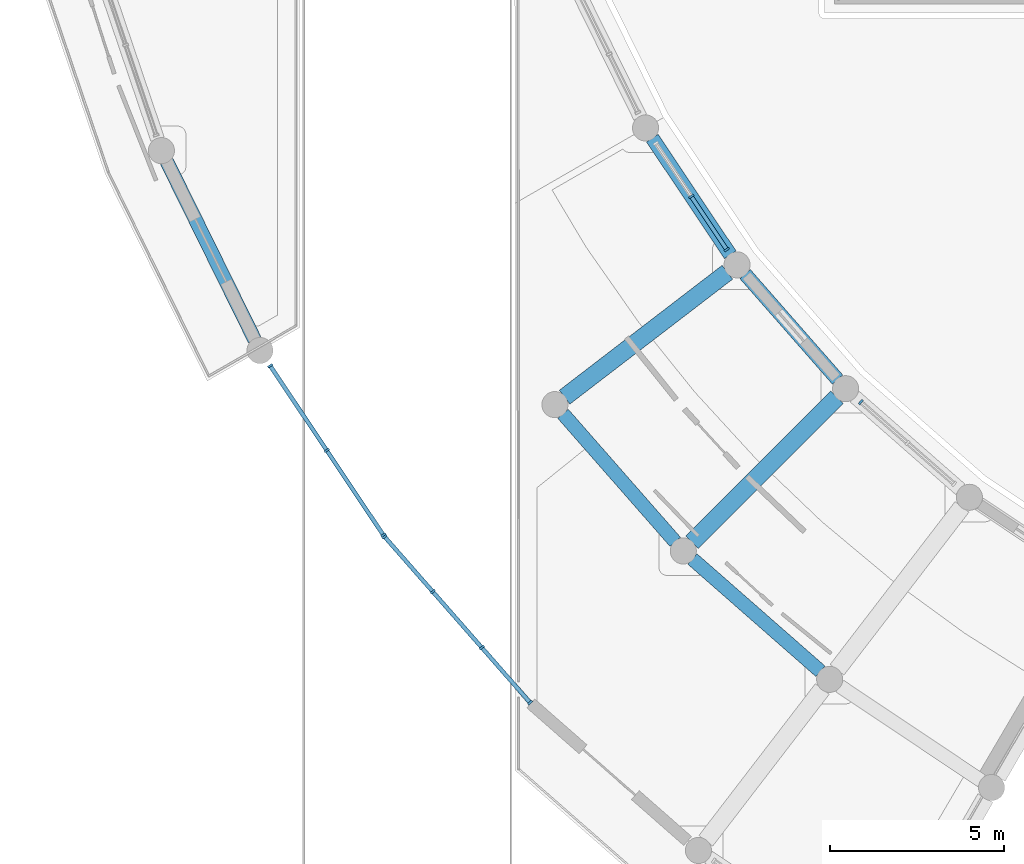
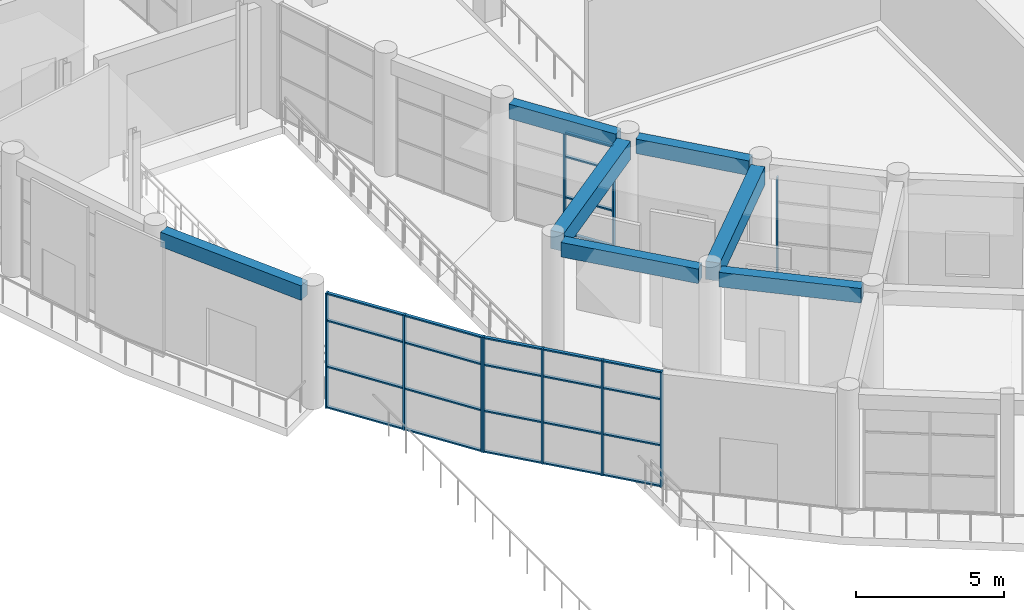
# One storey, part 22 of 99: 34 members, 7 beams, 4 elements without a shape of their own.
"""IFC4 building model written with IfcOpenShell, lengths in metres."""

from ifc_helpers import new_model, si_unit, direction, frame, origin, origin_2d, place, context, subcontext, project, spatial, rectangle, extrude, material, material_profile, profile_set, type_object, element, aggregate, save


model = new_model("IFC4")

# Units and contexts
model_context = context("Model", 3, precision=1e-05, world=origin(), true_north=direction((0.0, 1.0)))
body_context = subcontext(model_context, "Body", "Model", "MODEL_VIEW")
ifc_project = project(units=[si_unit("LENGTHUNIT", "METRE"), si_unit("AREAUNIT", "SQUARE_METRE"), si_unit("VOLUMEUNIT", "CUBIC_METRE"), si_unit("PLANEANGLEUNIT", "RADIAN"), si_unit("MASSUNIT", "GRAM", prefix="KILO")], contexts=[model_context])

# Site, building, storey
site_placement = place(None, origin())
site = spatial("IfcSite", under=ifc_project, at=site_placement, CompositionType="ELEMENT")
building_placement = place(site_placement, origin())
building = spatial("IfcBuilding", under=site, at=building_placement, Name="Saryqyr Civic Hall", CompositionType="ELEMENT")
storey_placement = place(building_placement, origin())
storey = spatial("IfcBuildingStorey", under=building, at=storey_placement, Name="L00", CompositionType="ELEMENT", Elevation=0.0)

# Curtain wall, members
ifc_material_1 = material(Name="Anodised aluminium and triple low-E glass", Category="aluminium")
curtain_wall_type_1 = type_object("IfcCurtainWallType", Name="ENV-CW-STD-08", PredefinedType="NOTDEFINED", material=ifc_material_1)
curtain_wall_1_placement = place(storey_placement, origin())
curtain_wall_1 = element("IfcCurtainWall", 1, at=curtain_wall_1_placement, inside=storey, type_object=curtain_wall_type_1, Name="Curtain wall V4-CWO-L00-06", PredefinedType="NOTDEFINED")
ifc_material_2 = material(Name="Anodised aluminium", Category="aluminium")
ifc_material_profile_1 = material_profile(ifc_material_2, rectangle(XDim=0.06005859375, YDim=0.159912109375, at=origin_2d()), Name="ALU MULLION 60x160")
ifc_profile_set_1 = profile_set([ifc_material_profile_1], Name="Anodised aluminium")
member_type_1 = type_object("IfcMemberType", Name="ENV-CW-MUL-180", PredefinedType="MULLION", material=ifc_profile_set_1)
member_1_placement = place(storey_placement, frame((18.109130859375, 54.195556640625, 0.0), z_axis=(0.0, 0.0, 1.0), x_axis=(-0.555566691085, 0.831471978937, 0.0)))
member_1 = element("IfcMember", 2, at=member_1_placement, type_object=member_type_1, Name="CW-08 mullion 1", PredefinedType="MULLION", context=body_context, shape_type="SweptSolid", body=[
    extrude(rectangle(XDim=0.06005859375, YDim=0.159912109375, at=origin_2d()), origin(), (0.0, 0.0, 1.0), 4.75),
])
member_2_placement = place(storey_placement, frame((16.48388671875, 56.6279296875, 0.0), z_axis=(0.0, 0.0, 1.0), x_axis=(-0.555566691085, 0.831471978937, 0.0)))
member_2 = element("IfcMember", 3, at=member_2_placement, type_object=member_type_1, Name="CW-08 mullion 2", PredefinedType="MULLION", context=body_context, shape_type="SweptSolid", body=[
    extrude(rectangle(XDim=0.06005859375, YDim=0.159912109375, at=origin_2d()), origin(), (0.0, 0.0, 1.0), 4.75),
])
member_3_placement = place(storey_placement, frame((14.85888671875, 59.06005859375, 0.0), z_axis=(0.0, 0.0, 1.0), x_axis=(-0.555566691085, 0.831471978937, 0.0)))
member_3 = element("IfcMember", 4, at=member_3_placement, type_object=member_type_1, Name="CW-08 mullion 3", PredefinedType="MULLION", context=body_context, shape_type="SweptSolid", body=[
    extrude(rectangle(XDim=0.06005859375, YDim=0.159912109375, at=origin_2d()), origin(), (0.0, 0.0, 1.0), 4.75),
])

curtain_wall_type_2 = type_object("IfcCurtainWallType", Name="ENV-CW-STD-09", PredefinedType="NOTDEFINED", material=ifc_material_1)
curtain_wall_2_placement = place(storey_placement, origin())
curtain_wall_2 = element("IfcCurtainWall", 5, at=curtain_wall_2_placement, inside=storey, type_object=curtain_wall_type_2, Name="Curtain wall V4-CWI-L00-06", PredefinedType="NOTDEFINED")
member_4_placement = place(storey_placement, frame((26.96533203125, 63.931396484375, 0.0), z_axis=(0.0, 0.0, 1.0), x_axis=(0.555558270106, -0.831477605541, 0.0)))
member_4 = element("IfcMember", 6, at=member_4_placement, type_object=member_type_1, Name="CW-09 mullion 2", PredefinedType="MULLION", context=body_context, shape_type="SweptSolid", body=[
    extrude(rectangle(XDim=0.06005859375, YDim=0.159912109375, at=origin_2d()), origin(), (0.0, 0.0, 1.0), 4.195068359375),
])
member_5_placement = place(storey_placement, frame((27.986572265625, 62.40283203125, 0.0), z_axis=(0.0, 0.0, 1.0), x_axis=(0.555558270106, -0.831477605541, 0.0)))
member_5 = element("IfcMember", 7, at=member_5_placement, type_object=member_type_1, Name="CW-09 mullion 3", PredefinedType="MULLION", context=body_context, shape_type="SweptSolid", body=[
    extrude(rectangle(XDim=0.06005859375, YDim=0.159912109375, at=origin_2d()), origin(), (0.0, 0.0, 1.0), 4.195068359375),
])

curtain_wall_type_3 = type_object("IfcCurtainWallType", Name="ENV-CW-STD-10", PredefinedType="NOTDEFINED", material=ifc_material_1)
curtain_wall_3_placement = place(storey_placement, origin())
curtain_wall_3 = element("IfcCurtainWall", 8, at=curtain_wall_3_placement, inside=storey, type_object=curtain_wall_type_3, Name="Curtain wall V4-CWO-L00-07", PredefinedType="NOTDEFINED")
member_6_placement = place(storey_placement, frame((22.33203125, 49.374267578125, 0.0), z_axis=(0.0, 0.0, 1.0), x_axis=(-0.659349177167, 0.751836859012, 0.0)))
member_6 = element("IfcMember", 9, at=member_6_placement, type_object=member_type_1, Name="CW-10 mullion 1", PredefinedType="MULLION", context=body_context, shape_type="SweptSolid", body=[
    extrude(rectangle(XDim=0.06005859375, YDim=0.159912109375, at=origin_2d()), origin(), (0.0, 0.0, 1.0), 4.75),
])
member_7_placement = place(storey_placement, frame((20.943115234375, 50.9580078125, 0.0), z_axis=(0.0, 0.0, 1.0), x_axis=(-0.659349177167, 0.751836859012, 0.0)))
member_7 = element("IfcMember", 10, at=member_7_placement, type_object=member_type_1, Name="CW-10 mullion 2", PredefinedType="MULLION", context=body_context, shape_type="SweptSolid", body=[
    extrude(rectangle(XDim=0.06005859375, YDim=0.159912109375, at=origin_2d()), origin(), (0.0, 0.0, 1.0), 4.75),
])
member_8_placement = place(storey_placement, frame((19.534423828125, 52.564453125, 0.0), z_axis=(0.0, 0.0, 1.0), x_axis=(-0.659349177167, 0.751836859012, 0.0)))
member_8 = element("IfcMember", 11, at=member_8_placement, type_object=member_type_1, Name="CW-10 mullion 3", PredefinedType="MULLION", context=body_context, shape_type="SweptSolid", body=[
    extrude(rectangle(XDim=0.06005859375, YDim=0.159912109375, at=origin_2d()), origin(), (0.0, 0.0, 1.0), 4.75),
])
member_9_placement = place(storey_placement, frame((18.1455078125, 54.148193359375, 0.0), z_axis=(0.0, 0.0, 1.0), x_axis=(-0.659349177167, 0.751836859012, 0.0)))
member_9 = element("IfcMember", 12, at=member_9_placement, type_object=member_type_1, Name="CW-10 mullion 4", PredefinedType="MULLION", context=body_context, shape_type="SweptSolid", body=[
    extrude(rectangle(XDim=0.06005859375, YDim=0.159912109375, at=origin_2d()), origin(), (0.0, 0.0, 1.0), 4.75),
])

# Curtain wall, member
curtain_wall_type_4 = type_object("IfcCurtainWallType", Name="ENV-CW-STD-11", PredefinedType="NOTDEFINED", material=ifc_material_1)
curtain_wall_4_placement = place(storey_placement, origin())
curtain_wall_4 = element("IfcCurtainWall", 13, at=curtain_wall_4_placement, inside=storey, type_object=curtain_wall_type_4, Name="Curtain wall V4-CWI-L00-08", PredefinedType="NOTDEFINED")
member_10_placement = place(storey_placement, frame((31.84033203125, 58.01904296875, 0.0), z_axis=(0.0, 0.0, 1.0), x_axis=(0.751830721195, -0.659356175878, 0.0)))
member_10 = element("IfcMember", 14, at=member_10_placement, type_object=member_type_1, Name="CW-11 mullion 1", PredefinedType="MULLION", context=body_context, shape_type="SweptSolid", body=[
    extrude(rectangle(XDim=0.06005859375, YDim=0.159912109375, at=origin_2d()), origin(), (0.0, 0.0, 1.0), 4.195068359375),
])
aggregate(curtain_wall_4, [member_10])

# Member
ifc_material_profile_2 = material_profile(ifc_material_2, rectangle(XDim=0.1201171875, YDim=0.06005859375, at=origin_2d()), Name="ALU TRANSOM 120x60")
ifc_profile_set_2 = profile_set([ifc_material_profile_2], Name="Anodised aluminium")
member_type_2 = type_object("IfcMemberType", Name="ENV-CW-TRN-150", PredefinedType="USERDEFINED", material=ifc_profile_set_2)
member_11_placement = place(storey_placement, frame((18.09228515625, 54.220703125, 0.030029296875), z_axis=(-0.555565099177, 0.831473042603, 0.0), x_axis=(-0.831473042603, -0.555565099177, 0.0)))
member_11 = element("IfcMember", 15, at=member_11_placement, type_object=member_type_2, Name="CW-08 transom 1.1", ObjectType="TRANSOM", PredefinedType="USERDEFINED", context=body_context, shape_type="SweptSolid", body=[
    extrude(rectangle(XDim=0.1201171875, YDim=0.06005859375, at=origin_2d()), origin(), (0.0, 0.0, 1.0), 2.865234375),
])

member_12_placement = place(storey_placement, frame((18.09228515625, 54.220703125, 1.7099609375), z_axis=(-0.555565099177, 0.831473042603, 0.0), x_axis=(-0.831473042603, -0.555565099177, 0.0)))
member_12 = element("IfcMember", 16, at=member_12_placement, type_object=member_type_2, Name="CW-08 transom 1.2", ObjectType="TRANSOM", PredefinedType="USERDEFINED", context=body_context, shape_type="SweptSolid", body=[
    extrude(rectangle(XDim=0.1201171875, YDim=0.06005859375, at=origin_2d()), origin(), (0.0, 0.0, 1.0), 2.865234375),
])

member_13_placement = place(storey_placement, frame((18.09228515625, 54.220703125, 3.610107421875), z_axis=(-0.555565099177, 0.831473042603, 0.0), x_axis=(-0.831473042603, -0.555565099177, 0.0)))
member_13 = element("IfcMember", 17, at=member_13_placement, type_object=member_type_2, Name="CW-08 transom 1.3", ObjectType="TRANSOM", PredefinedType="USERDEFINED", context=body_context, shape_type="SweptSolid", body=[
    extrude(rectangle(XDim=0.1201171875, YDim=0.06005859375, at=origin_2d()), origin(), (0.0, 0.0, 1.0), 2.865234375),
])

member_14_placement = place(storey_placement, frame((18.09228515625, 54.220703125, 4.719970703125), z_axis=(-0.555565099177, 0.831473042603, 0.0), x_axis=(-0.831473042603, -0.555565099177, 0.0)))
member_14 = element("IfcMember", 18, at=member_14_placement, type_object=member_type_2, Name="CW-08 transom 1.4", ObjectType="TRANSOM", PredefinedType="USERDEFINED", context=body_context, shape_type="SweptSolid", body=[
    extrude(rectangle(XDim=0.1201171875, YDim=0.06005859375, at=origin_2d()), origin(), (0.0, 0.0, 1.0), 2.865234375),
])

member_15_placement = place(storey_placement, frame((16.46728515625, 56.65283203125, 0.030029296875), z_axis=(-0.555565099177, 0.831473042603, 0.0), x_axis=(-0.831473042603, -0.555565099177, 0.0)))
member_15 = element("IfcMember", 19, at=member_15_placement, type_object=member_type_2, Name="CW-08 transom 2.1", ObjectType="TRANSOM", PredefinedType="USERDEFINED", context=body_context, shape_type="SweptSolid", body=[
    extrude(rectangle(XDim=0.1201171875, YDim=0.06005859375, at=origin_2d()), origin(), (0.0, 0.0, 1.0), 2.865234375),
])

member_16_placement = place(storey_placement, frame((16.46728515625, 56.65283203125, 1.7099609375), z_axis=(-0.555565099177, 0.831473042603, 0.0), x_axis=(-0.831473042603, -0.555565099177, 0.0)))
member_16 = element("IfcMember", 20, at=member_16_placement, type_object=member_type_2, Name="CW-08 transom 2.2", ObjectType="TRANSOM", PredefinedType="USERDEFINED", context=body_context, shape_type="SweptSolid", body=[
    extrude(rectangle(XDim=0.1201171875, YDim=0.06005859375, at=origin_2d()), origin(), (0.0, 0.0, 1.0), 2.865234375),
])

member_17_placement = place(storey_placement, frame((16.46728515625, 56.65283203125, 3.610107421875), z_axis=(-0.555565099177, 0.831473042603, 0.0), x_axis=(-0.831473042603, -0.555565099177, 0.0)))
member_17 = element("IfcMember", 21, at=member_17_placement, type_object=member_type_2, Name="CW-08 transom 2.3", ObjectType="TRANSOM", PredefinedType="USERDEFINED", context=body_context, shape_type="SweptSolid", body=[
    extrude(rectangle(XDim=0.1201171875, YDim=0.06005859375, at=origin_2d()), origin(), (0.0, 0.0, 1.0), 2.865234375),
])

member_18_placement = place(storey_placement, frame((16.46728515625, 56.65283203125, 4.719970703125), z_axis=(-0.555565099177, 0.831473042603, 0.0), x_axis=(-0.831473042603, -0.555565099177, 0.0)))
member_18 = element("IfcMember", 22, at=member_18_placement, type_object=member_type_2, Name="CW-08 transom 2.4", ObjectType="TRANSOM", PredefinedType="USERDEFINED", context=body_context, shape_type="SweptSolid", body=[
    extrude(rectangle(XDim=0.1201171875, YDim=0.06005859375, at=origin_2d()), origin(), (0.0, 0.0, 1.0), 2.865234375),
])

aggregate(curtain_wall_1, [member_1, member_2, member_3, member_11, member_12, member_13, member_14, member_15, member_16, member_17, member_18])

member_19_placement = place(storey_placement, frame((26.98193359375, 63.906494140625, 0.030029296875), z_axis=(0.555555237081, -0.831479632073, 0.0), x_axis=(0.831479632073, 0.555555237081, 0.0)))
member_19 = element("IfcMember", 23, at=member_19_placement, type_object=member_type_2, Name="CW-09 transom 2.1", ObjectType="TRANSOM", PredefinedType="USERDEFINED", context=body_context, shape_type="SweptSolid", body=[
    extrude(rectangle(XDim=0.1201171875, YDim=0.06005859375, at=origin_2d()), origin(), (0.0, 0.0, 1.0), 1.778564453125),
])

member_20_placement = place(storey_placement, frame((26.98193359375, 63.906494140625, 1.510009765625), z_axis=(0.555555237081, -0.831479632073, 0.0), x_axis=(0.831479632073, 0.555555237081, 0.0)))
member_20 = element("IfcMember", 24, at=member_20_placement, type_object=member_type_2, Name="CW-09 transom 2.2", ObjectType="TRANSOM", PredefinedType="USERDEFINED", context=body_context, shape_type="SweptSolid", body=[
    extrude(rectangle(XDim=0.1201171875, YDim=0.06005859375, at=origin_2d()), origin(), (0.0, 0.0, 1.0), 1.778564453125),
])

member_21_placement = place(storey_placement, frame((26.98193359375, 63.906494140625, 3.18798828125), z_axis=(0.555555237081, -0.831479632073, 0.0), x_axis=(0.831479632073, 0.555555237081, 0.0)))
member_21 = element("IfcMember", 25, at=member_21_placement, type_object=member_type_2, Name="CW-09 transom 2.3", ObjectType="TRANSOM", PredefinedType="USERDEFINED", context=body_context, shape_type="SweptSolid", body=[
    extrude(rectangle(XDim=0.1201171875, YDim=0.06005859375, at=origin_2d()), origin(), (0.0, 0.0, 1.0), 1.778564453125),
])

member_22_placement = place(storey_placement, frame((26.98193359375, 63.906494140625, 4.1650390625), z_axis=(0.555555237081, -0.831479632073, 0.0), x_axis=(0.831479632073, 0.555555237081, 0.0)))
member_22 = element("IfcMember", 26, at=member_22_placement, type_object=member_type_2, Name="CW-09 transom 2.4", ObjectType="TRANSOM", PredefinedType="USERDEFINED", context=body_context, shape_type="SweptSolid", body=[
    extrude(rectangle(XDim=0.1201171875, YDim=0.06005859375, at=origin_2d()), origin(), (0.0, 0.0, 1.0), 1.778564453125),
])

aggregate(curtain_wall_2, [member_4, member_5, member_19, member_20, member_21, member_22])

member_23_placement = place(storey_placement, frame((22.312255859375, 49.39697265625, 0.030029296875), z_axis=(-0.659365663126, 0.751822400764, 0.0), x_axis=(-0.751822400764, -0.659365663126, 0.0)))
member_23 = element("IfcMember", 27, at=member_23_placement, type_object=member_type_2, Name="CW-10 transom 1.1", ObjectType="TRANSOM", PredefinedType="USERDEFINED", context=body_context, shape_type="SweptSolid", body=[
    extrude(rectangle(XDim=0.1201171875, YDim=0.06005859375, at=origin_2d()), origin(), (0.0, 0.0, 1.0), 2.04638671875),
])

member_24_placement = place(storey_placement, frame((22.312255859375, 49.39697265625, 1.7099609375), z_axis=(-0.659365663126, 0.751822400764, 0.0), x_axis=(-0.751822400764, -0.659365663126, 0.0)))
member_24 = element("IfcMember", 28, at=member_24_placement, type_object=member_type_2, Name="CW-10 transom 1.2", ObjectType="TRANSOM", PredefinedType="USERDEFINED", context=body_context, shape_type="SweptSolid", body=[
    extrude(rectangle(XDim=0.1201171875, YDim=0.06005859375, at=origin_2d()), origin(), (0.0, 0.0, 1.0), 2.04638671875),
])

member_25_placement = place(storey_placement, frame((22.312255859375, 49.39697265625, 3.610107421875), z_axis=(-0.659365663126, 0.751822400764, 0.0), x_axis=(-0.751822400764, -0.659365663126, 0.0)))
member_25 = element("IfcMember", 29, at=member_25_placement, type_object=member_type_2, Name="CW-10 transom 1.3", ObjectType="TRANSOM", PredefinedType="USERDEFINED", context=body_context, shape_type="SweptSolid", body=[
    extrude(rectangle(XDim=0.1201171875, YDim=0.06005859375, at=origin_2d()), origin(), (0.0, 0.0, 1.0), 2.04638671875),
])

member_26_placement = place(storey_placement, frame((22.312255859375, 49.39697265625, 4.719970703125), z_axis=(-0.659365663126, 0.751822400764, 0.0), x_axis=(-0.751822400764, -0.659365663126, 0.0)))
member_26 = element("IfcMember", 30, at=member_26_placement, type_object=member_type_2, Name="CW-10 transom 1.4", ObjectType="TRANSOM", PredefinedType="USERDEFINED", context=body_context, shape_type="SweptSolid", body=[
    extrude(rectangle(XDim=0.1201171875, YDim=0.06005859375, at=origin_2d()), origin(), (0.0, 0.0, 1.0), 2.04638671875),
])

member_27_placement = place(storey_placement, frame((20.92333984375, 50.980712890625, 0.030029296875), z_axis=(-0.659386522688, 0.751804105932, 0.0), x_axis=(-0.751804105932, -0.659386522688, 0.0)))
member_27 = element("IfcMember", 31, at=member_27_placement, type_object=member_type_2, Name="CW-10 transom 2.1", ObjectType="TRANSOM", PredefinedType="USERDEFINED", context=body_context, shape_type="SweptSolid", body=[
    extrude(rectangle(XDim=0.1201171875, YDim=0.06005859375, at=origin_2d()), origin(), (0.0, 0.0, 1.0), 2.076416015625),
])

member_28_placement = place(storey_placement, frame((20.92333984375, 50.980712890625, 1.7099609375), z_axis=(-0.659386522688, 0.751804105932, 0.0), x_axis=(-0.751804105932, -0.659386522688, 0.0)))
member_28 = element("IfcMember", 32, at=member_28_placement, type_object=member_type_2, Name="CW-10 transom 2.2", ObjectType="TRANSOM", PredefinedType="USERDEFINED", context=body_context, shape_type="SweptSolid", body=[
    extrude(rectangle(XDim=0.1201171875, YDim=0.06005859375, at=origin_2d()), origin(), (0.0, 0.0, 1.0), 2.076416015625),
])

member_29_placement = place(storey_placement, frame((20.92333984375, 50.980712890625, 3.610107421875), z_axis=(-0.659386522688, 0.751804105932, 0.0), x_axis=(-0.751804105932, -0.659386522688, 0.0)))
member_29 = element("IfcMember", 33, at=member_29_placement, type_object=member_type_2, Name="CW-10 transom 2.3", ObjectType="TRANSOM", PredefinedType="USERDEFINED", context=body_context, shape_type="SweptSolid", body=[
    extrude(rectangle(XDim=0.1201171875, YDim=0.06005859375, at=origin_2d()), origin(), (0.0, 0.0, 1.0), 2.076416015625),
])

member_30_placement = place(storey_placement, frame((20.92333984375, 50.980712890625, 4.719970703125), z_axis=(-0.659386522688, 0.751804105932, 0.0), x_axis=(-0.751804105932, -0.659386522688, 0.0)))
member_30 = element("IfcMember", 34, at=member_30_placement, type_object=member_type_2, Name="CW-10 transom 2.4", ObjectType="TRANSOM", PredefinedType="USERDEFINED", context=body_context, shape_type="SweptSolid", body=[
    extrude(rectangle(XDim=0.1201171875, YDim=0.06005859375, at=origin_2d()), origin(), (0.0, 0.0, 1.0), 2.076416015625),
])

member_31_placement = place(storey_placement, frame((19.5146484375, 52.5869140625, 0.030029296875), z_axis=(-0.659365663126, 0.751822400764, 0.0), x_axis=(-0.751822400764, -0.659365663126, 0.0)))
member_31 = element("IfcMember", 35, at=member_31_placement, type_object=member_type_2, Name="CW-10 transom 3.1", ObjectType="TRANSOM", PredefinedType="USERDEFINED", context=body_context, shape_type="SweptSolid", body=[
    extrude(rectangle(XDim=0.1201171875, YDim=0.06005859375, at=origin_2d()), origin(), (0.0, 0.0, 1.0), 2.04638671875),
])

member_32_placement = place(storey_placement, frame((19.5146484375, 52.5869140625, 1.7099609375), z_axis=(-0.659365663126, 0.751822400764, 0.0), x_axis=(-0.751822400764, -0.659365663126, 0.0)))
member_32 = element("IfcMember", 36, at=member_32_placement, type_object=member_type_2, Name="CW-10 transom 3.2", ObjectType="TRANSOM", PredefinedType="USERDEFINED", context=body_context, shape_type="SweptSolid", body=[
    extrude(rectangle(XDim=0.1201171875, YDim=0.06005859375, at=origin_2d()), origin(), (0.0, 0.0, 1.0), 2.04638671875),
])

member_33_placement = place(storey_placement, frame((19.5146484375, 52.5869140625, 3.610107421875), z_axis=(-0.659365663126, 0.751822400764, 0.0), x_axis=(-0.751822400764, -0.659365663126, 0.0)))
member_33 = element("IfcMember", 37, at=member_33_placement, type_object=member_type_2, Name="CW-10 transom 3.3", ObjectType="TRANSOM", PredefinedType="USERDEFINED", context=body_context, shape_type="SweptSolid", body=[
    extrude(rectangle(XDim=0.1201171875, YDim=0.06005859375, at=origin_2d()), origin(), (0.0, 0.0, 1.0), 2.04638671875),
])

member_34_placement = place(storey_placement, frame((19.5146484375, 52.5869140625, 4.719970703125), z_axis=(-0.659365663126, 0.751822400764, 0.0), x_axis=(-0.751822400764, -0.659365663126, 0.0)))
member_34 = element("IfcMember", 38, at=member_34_placement, type_object=member_type_2, Name="CW-10 transom 3.4", ObjectType="TRANSOM", PredefinedType="USERDEFINED", context=body_context, shape_type="SweptSolid", body=[
    extrude(rectangle(XDim=0.1201171875, YDim=0.06005859375, at=origin_2d()), origin(), (0.0, 0.0, 1.0), 2.04638671875),
])

aggregate(curtain_wall_3, [member_6, member_7, member_8, member_9, member_23, member_24, member_25, member_26, member_27, member_28, member_29, member_30, member_31, member_32, member_33, member_34])

# Beams
ifc_material_3 = material(Name="Concrete C35/45", Category="concrete")
ifc_material_profile_3 = material_profile(ifc_material_3, rectangle(XDim=0.39990234375, YDim=0.60009765625, at=origin_2d()), Name="RC 400x600")
ifc_profile_set_3 = profile_set([ifc_material_profile_3], Name="Concrete C35/45")
beam_type_1 = type_object("IfcBeamType", Name="STR-BM-RC400x600", PredefinedType="BEAM", material=ifc_profile_set_3)
for number, where, z_axis, x_axis, name in (
    (39, (23.275390625, 57.681884765625, 4.52001953125), (0.659287582, -0.751890872547, 0.0), (0.751890872547, 0.659287582, 0.0), "Beam V4-CBM-MID07-L00"),
    (40, (26.998779296875, 53.5048828125, 4.52001953125), (0.751890872547, -0.659287582, 0.0), (0.659287582, 0.751890872547, 0.0), "Beam V4-CBM-MID08-L00"),
):
    element("IfcBeam", number, at=place(storey_placement, frame(where, z_axis=z_axis, x_axis=x_axis)), inside=storey, type_object=beam_type_1, Name=name, PredefinedType="BEAM", context=body_context, shape_type="SweptSolid", body=[
        extrude(rectangle(XDim=0.39990234375, YDim=0.60009765625, at=origin_2d()), origin(), (0.0, 0.0, 1.0), 4.8984375),
    ])
ifc_material_profile_4 = material_profile(ifc_material_3, rectangle(XDim=0.39990234375, YDim=0.60009765625, at=origin_2d()), Name="RC 400x600")
ifc_profile_set_4 = profile_set([ifc_material_profile_4], Name="Concrete C35/45")
beam_type_2 = type_object("IfcBeamType", Name="STR-BM-RC400x600-EXT", PredefinedType="BEAM", material=ifc_profile_set_4)
beam_placement = place(storey_placement, frame((11.884765625, 64.9345703125, 4.52001953125), z_axis=(0.442280704539, -0.89687667959, 0.0), x_axis=(0.89687667959, 0.442280704539, 0.0)))
element("IfcBeam", 41, at=beam_placement, inside=storey, type_object=beam_type_2, Name="Beam V4-CBM-OUT05-L00", PredefinedType="BEAM", context=body_context, shape_type="SweptSolid", body=[
    extrude(rectangle(XDim=0.39990234375, YDim=0.60009765625, at=origin_2d()), origin(), (0.0, 0.0, 1.0), 5.70947265625),
])
for number, where, z_axis, x_axis, name in (
    (42, (25.84423828125, 65.60888671875, 4.52001953125), (0.555607424934, -0.831444760257, 0.0), (0.831444760257, 0.555607424934, 0.0), "Beam V4-CBM-IN06-L00"),
    (43, (28.511474609375, 61.69970703125, 4.52001953125), (0.659305235265, -0.751875393102, 0.0), (0.751875393102, 0.659305235265, 0.0), "Beam V4-CBM-IN07-L00"),
):
    element("IfcBeam", number, at=place(storey_placement, frame(where, z_axis=z_axis, x_axis=x_axis)), inside=storey, type_object=beam_type_2, Name=name, PredefinedType="BEAM", context=body_context, shape_type="SweptSolid", body=[
        extrude(rectangle(XDim=0.39990234375, YDim=0.60009765625, at=origin_2d()), origin(), (0.0, 0.0, 1.0), 4.03515625),
    ])
ifc_material_4 = material(Name="Concrete C40/50", Category="concrete")
ifc_material_profile_5 = material_profile(ifc_material_4, rectangle(XDim=0.5, YDim=0.75, at=origin_2d()), Name="RC 500x750")
ifc_profile_set_5 = profile_set([ifc_material_profile_5], Name="Concrete C40/50")
beam_type_3 = type_object("IfcBeamType", Name="STR-BM-RC500x750", PredefinedType="BEAM", material=ifc_profile_set_5)
for number, where, z_axis, x_axis, name in (
    (44, (28.0029296875, 61.749755859375, 4.445068359375), (-0.793357197748, -0.60875640184, 0.0), (0.60875640184, -0.793357197748, 0.0), "Beam V4-RBM-A07-L00"),
    (45, (31.1552734375, 58.1552734375, 4.445068359375), (-0.707106781187, -0.707106781187, 0.0), (0.707106781187, -0.707106781187, 0.0), "Beam V4-RBM-A08-L00"),
):
    element("IfcBeam", number, at=place(storey_placement, frame(where, z_axis=z_axis, x_axis=x_axis)), inside=storey, type_object=beam_type_3, Name=name, PredefinedType="BEAM", context=body_context, shape_type="SweptSolid", body=[
        extrude(rectangle(XDim=0.5, YDim=0.75, at=origin_2d()), origin(), (0.0, 0.0, 1.0), 5.89990234375),
    ])

save(model, "model.ifc")
